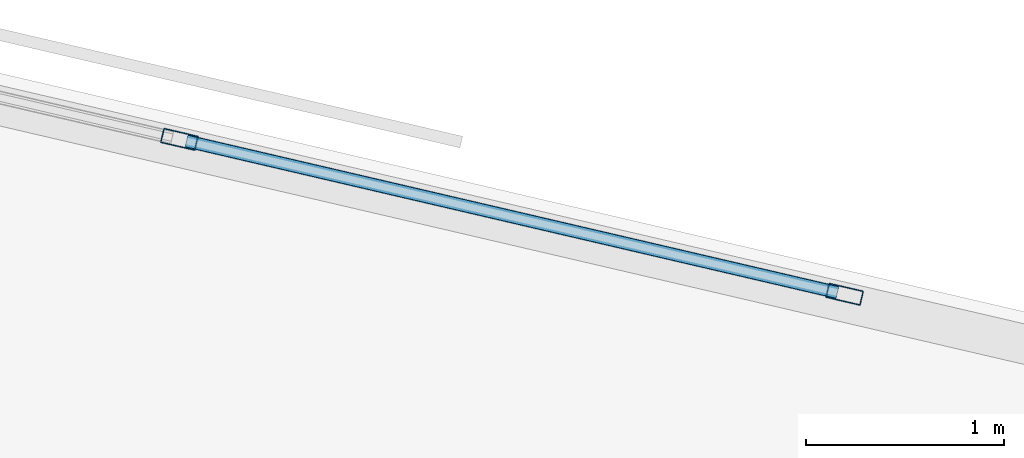
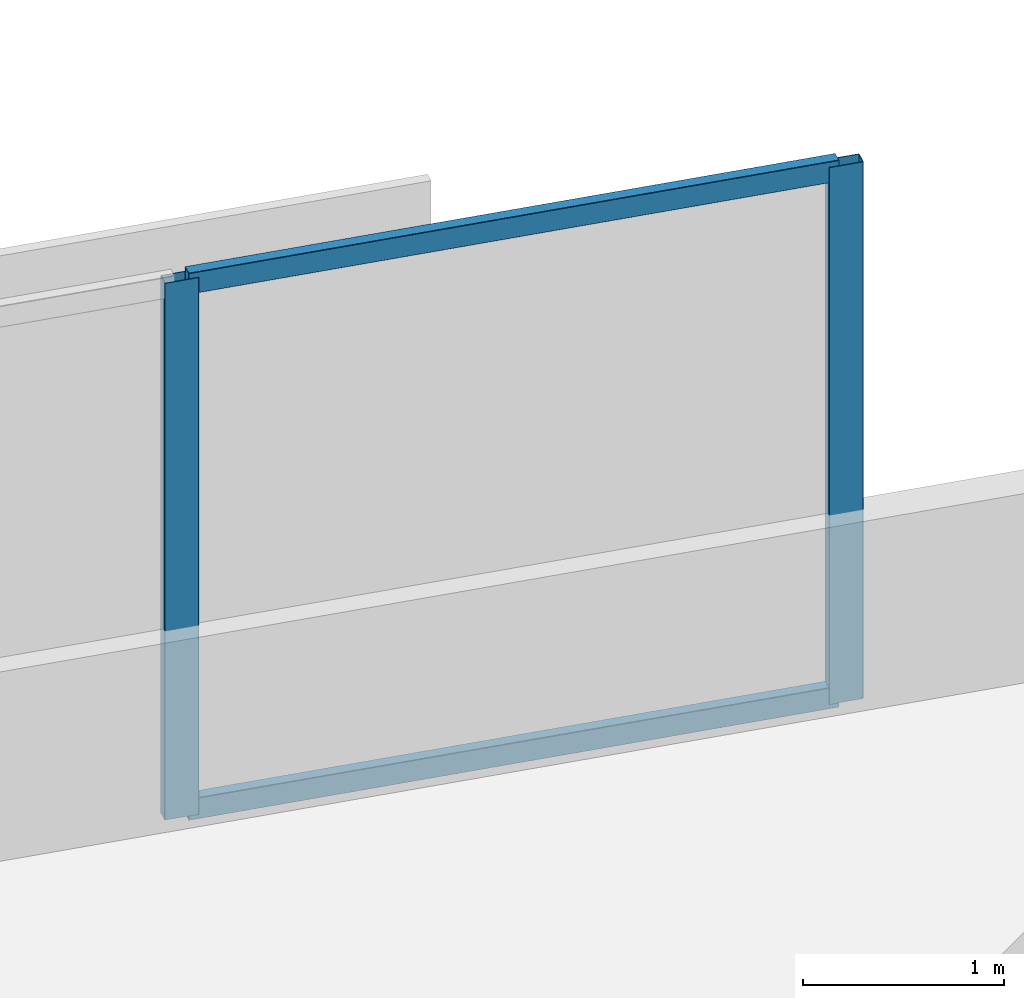
# One storey, part 2 of 14: 4 members, 1 element without a shape of its own.
"""IFC4 building model written with IfcOpenShell, lengths in metres."""

from ifc_helpers import new_model, si_unit, direction, frame, origin, origin_2d, place, context, subcontext, project, spatial, hollow_rectangle, extrude, material, material_profile, profile_set, type_object, element, aggregate, save


model = new_model("IFC4")

# Units and contexts
model_context = context("Model", 3, precision=1e-05, world=origin(), true_north=direction((0.0, 1.0)))
body_context = subcontext(model_context, "Body", "Model", "MODEL_VIEW")
ifc_project = project(units=[si_unit("LENGTHUNIT", "METRE"), si_unit("AREAUNIT", "SQUARE_METRE"), si_unit("VOLUMEUNIT", "CUBIC_METRE"), si_unit("PLANEANGLEUNIT", "RADIAN"), si_unit("MASSUNIT", "GRAM", prefix="KILO")], contexts=[model_context])

# Site, building, storey
site_placement = place(None, origin())
site = spatial("IfcSite", under=ifc_project, at=site_placement, CompositionType="ELEMENT")
building_placement = place(site_placement, origin())
building = spatial("IfcBuilding", under=site, at=building_placement, Name="Narakoshi Arena Tower", CompositionType="ELEMENT")
storey_placement = place(building_placement, frame((0.0, 0.0, 179.10009765625)))
storey = spatial("IfcBuildingStorey", under=building, at=storey_placement, Name="L48", CompositionType="ELEMENT", Elevation=179.10009765625)

# Curtain wall, members
ifc_material = material(Name="Anodised bronze aluminium 6063-T6", Category="aluminium")
curtain_wall_type = type_object("IfcCurtainWallType", Name="CW-HYP-MID", PredefinedType="NOTDEFINED", material=ifc_material)
curtain_wall_placement = place(storey_placement, origin())
curtain_wall = element("IfcCurtainWall", 1, at=curtain_wall_placement, inside=storey, type_object=curtain_wall_type, Name="L48 Folded Hypotenuse Curtain Wall 2-1", PredefinedType="NOTDEFINED")
ifc_material_profile_1 = material_profile(ifc_material, hollow_rectangle(XDim=0.074951171875, YDim=0.179931640625, WallThickness=0.00390625, OuterFilletRadius=0.0048828125, at=origin_2d()), Name="MUL180x75x4")
ifc_profile_set_1 = profile_set([ifc_material_profile_1], Name="Anodised bronze aluminium 6063-T6")
member_type_1 = type_object("IfcMemberType", Name="MEM-MUL-180", PredefinedType="MULLION", material=ifc_profile_set_1)
member_1_placement = place(storey_placement, frame((85.6767578125, 62.869384765625, 0.0), z_axis=(0.0, 0.0, 1.0), x_axis=(-0.226721182724, -0.973959704148, 0.0)))
member_1 = element("IfcMember", 2, at=member_1_placement, type_object=member_type_1, Name="CW-02 mullion 1", PredefinedType="MULLION", context=body_context, shape_type="SweptSolid", body=[
    extrude(hollow_rectangle(XDim=0.074951171875, YDim=0.179931640625, WallThickness=0.00390625, OuterFilletRadius=0.0048828125, at=origin_2d()), origin(), (0.0, 0.0, 1.0), 3.260009765625),
])
member_2_placement = place(storey_placement, frame((82.312255859375, 63.652587890625, 0.0), z_axis=(0.0, 0.0, 1.0), x_axis=(-0.226721182724, -0.973959704148, 0.0)))
member_2 = element("IfcMember", 3, at=member_2_placement, type_object=member_type_1, Name="CW-02 mullion 2", PredefinedType="MULLION", context=body_context, shape_type="SweptSolid", body=[
    extrude(hollow_rectangle(XDim=0.074951171875, YDim=0.179931640625, WallThickness=0.00390625, OuterFilletRadius=0.0048828125, at=origin_2d()), origin(), (0.0, 0.0, 1.0), 3.260009765625),
])
ifc_material_profile_2 = material_profile(ifc_material, hollow_rectangle(XDim=0.06494140625, YDim=0.1298828125, WallThickness=0.00390625, OuterFilletRadius=0.0048828125, at=origin_2d()), Name="TRN130x65x4")
ifc_profile_set_2 = profile_set([ifc_material_profile_2], Name="Anodised bronze aluminium 6063-T6")
member_type_2 = type_object("IfcMemberType", Name="MEM-TRN-130", PredefinedType="USERDEFINED", material=ifc_profile_set_2)
member_3_placement = place(storey_placement, frame((85.64013671875, 62.8779296875, 0.032470703125), z_axis=(-0.973946086847, 0.226779672622, 0.0), x_axis=(-0.226779672622, -0.973946086847, 0.0)))
member_3 = element("IfcMember", 4, at=member_3_placement, type_object=member_type_2, Name="CW-02 transom 1.1", ObjectType="TRANSOM", PredefinedType="USERDEFINED", context=body_context, shape_type="SweptSolid", body=[
    extrude(hollow_rectangle(XDim=0.06494140625, YDim=0.1298828125, WallThickness=0.00390625, OuterFilletRadius=0.0048828125, at=origin_2d()), origin(), (0.0, 0.0, 1.0), 3.37939453125),
])
member_4_placement = place(storey_placement, frame((85.64013671875, 62.8779296875, 3.227294921875), z_axis=(-0.973946086847, 0.226779672622, 0.0), x_axis=(-0.226779672622, -0.973946086847, 0.0)))
member_4 = element("IfcMember", 5, at=member_4_placement, type_object=member_type_2, Name="CW-02 transom 1.2", ObjectType="TRANSOM", PredefinedType="USERDEFINED", context=body_context, shape_type="SweptSolid", body=[
    extrude(hollow_rectangle(XDim=0.06494140625, YDim=0.1298828125, WallThickness=0.00390625, OuterFilletRadius=0.0048828125, at=origin_2d()), origin(), (0.0, 0.0, 1.0), 3.37939453125),
])
aggregate(curtain_wall, [member_1, member_2, member_3, member_4])

save(model, "model.ifc")
